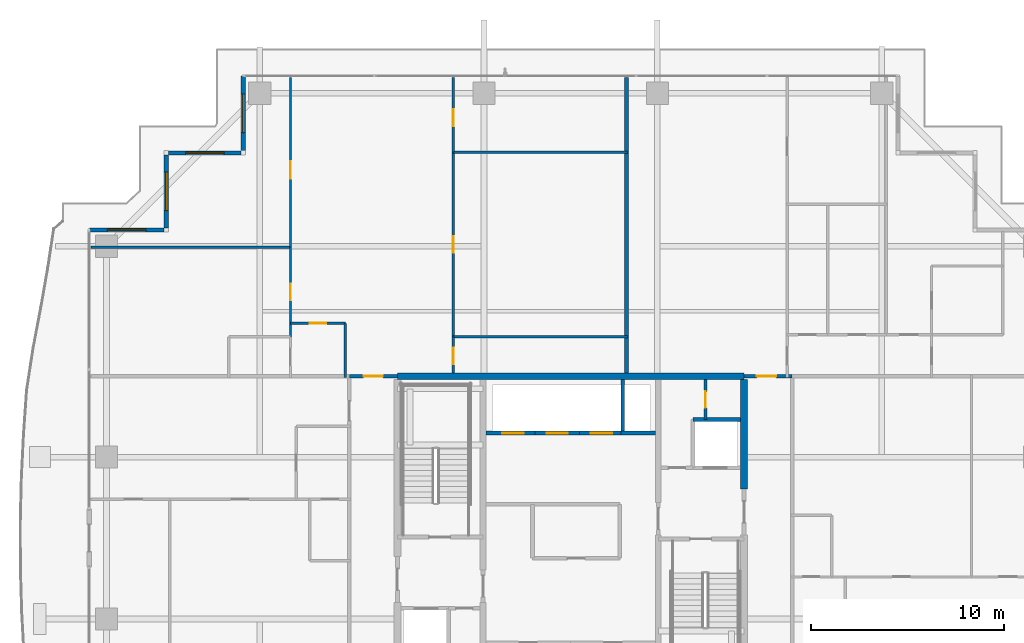
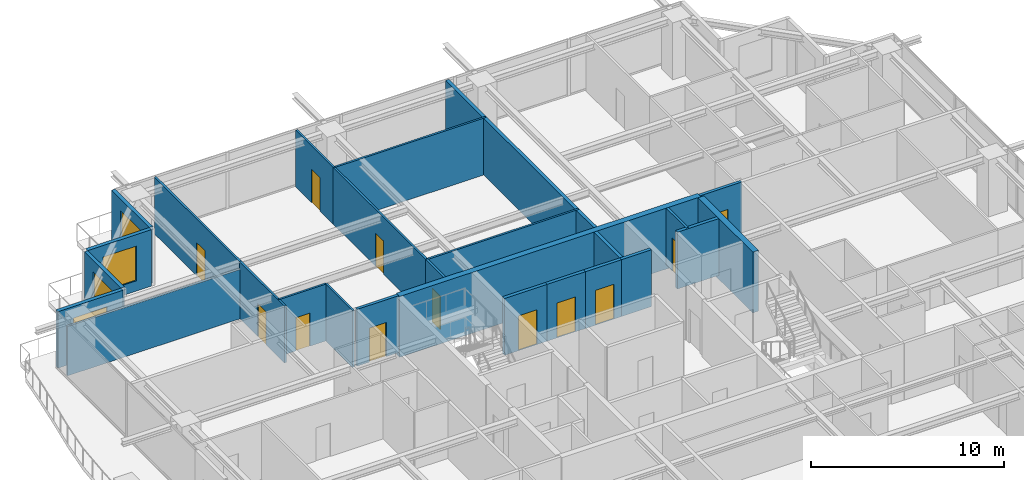
# One storey, part 27 of 37: 26 walls, 12 doors, 4 windows, 16 openings.
"""IFC4 building model written with IfcOpenShell, lengths in metres."""

from ifc_helpers import new_model, si_unit, direction, frame, frame_2d, origin, place, context, subcontext, project, spatial, rectangle, extrude, source, transform, mapped, material, layer, layer_set, type_object, element, fill, save


model = new_model("IFC4")

# Units and contexts
model_context = context("Model", 3, precision=1e-05, world=origin(), true_north=direction((0.0, 1.0)))
body_context = subcontext(model_context, "Body", "Model", "MODEL_VIEW")
ifc_project = project(units=[si_unit("LENGTHUNIT", "METRE"), si_unit("AREAUNIT", "SQUARE_METRE"), si_unit("VOLUMEUNIT", "CUBIC_METRE"), si_unit("PLANEANGLEUNIT", "RADIAN"), si_unit("MASSUNIT", "GRAM", prefix="KILO")], contexts=[model_context])

# Site, building, storey
site_placement = place(None, origin())
site = spatial("IfcSite", under=ifc_project, at=site_placement, CompositionType="ELEMENT")
building_placement = place(site_placement, origin())
building = spatial("IfcBuilding", under=site, at=building_placement, Name="Serunith Strait Residences", CompositionType="ELEMENT")
storey_placement = place(building_placement, frame((0.0, 0.0, 218.14990234375)))
storey = spatial("IfcBuildingStorey", under=building, at=storey_placement, Name="L54", CompositionType="ELEMENT", Elevation=218.14990234375)

# Wall, opening, window
ifc_material_1 = material(Name="Pale-Champagne Aluminium Insulated Panel", Category="aluminium")
ifc_layer_1 = layer(ifc_material_1, 0.219970703125, Name="Pale-Champagne Aluminium Insulated Panel")
ifc_layer_set_1 = layer_set([ifc_layer_1], Name="Pale-Champagne Aluminium Insulated Panel")
wall_type_1 = type_object("IfcWallType", Name="EW-ALUM-220", PredefinedType="ELEMENTEDWALL", material=ifc_layer_set_1)
wall_1_placement = place(storey_placement, frame((15.39990234375, 49.199951171875, 0.0), z_axis=(0.0, 0.0, 1.0), x_axis=(0.0, -1.0, 0.0)))
wall_1 = element("IfcWall", 1, at=wall_1_placement, inside=storey, type_object=wall_type_1, Name="L54 Girih Serrated Corner Wall 12", PredefinedType="ELEMENTEDWALL", context=body_context, shape_type="SweptSolid", body=[
    extrude(rectangle(XDim=3.889892578125, YDim=0.219970703125, at=frame_2d((1.94482421875, 0.0))), origin(), (0.0, 0.0, 1.0), 3.5751953125),
])
opening_1_placement = place(wall_1_placement, frame((0.945068359375, 0.0, 0.64990234375)))
opening_1 = element("IfcOpeningElement", 2, at=opening_1_placement, cuts=wall_1, Name="Opening W-04", PredefinedType="OPENING", context=body_context, shape_type="SweptSolid", body=[
    extrude(rectangle(XDim=2.0, YDim=2.199951171875, at=frame_2d((1.0, 1.10009765625))), frame((0.0, 0.1201171875, 0.0), z_axis=(0.0, -1.0, 0.0), x_axis=(1.0, 0.0, 0.0)), (0.0, 0.0, 1.0), 0.239990234375),
])
ifc_material_2 = material(Name="Ceramic-Fritted Operable Aluminium Window Glass", Category="aluminium")
window_type = type_object("IfcWindowType", Name="WIN-C4", PartitioningType="TRIPLE_PANEL_VERTICAL", PredefinedType="WINDOW", material=ifc_material_2)
shared_shape_1 = source(origin(), body_context, "Body", "SweptSolid", [
    extrude(rectangle(XDim=2.0, YDim=2.199951171875, at=frame_2d((1.0, 1.10009765625))), frame((0.0, 0.030029296875, 0.0), z_axis=(0.0, -1.0, 0.0), x_axis=(1.0, 0.0, 0.0)), (0.0, 0.0, 1.0), 0.06005859375),
])
window_1_placement = place(opening_1_placement, origin())
window_1 = element("IfcWindow", 3, at=window_1_placement, inside=storey, type_object=window_type, Name="L54 Corner Operable Fritted Window 12", OverallHeight=2.199951171875, OverallWidth=2.0, PartitioningType="SINGLE_PANEL", PredefinedType="WINDOW", context=body_context, shape_type="MappedRepresentation", body=[
    mapped(shared_shape_1, transform((0.0, 0.0, 0.0), scale=1.0)),
])
fill(opening_1, window_1)

wall_2_placement = place(storey_placement, frame((15.2900390625, 45.199951171875, 0.0), z_axis=(0.0, 0.0, 1.0), x_axis=(-1.0, 0.0, 0.0)))
wall_2 = element("IfcWall", 4, at=wall_2_placement, inside=storey, type_object=wall_type_1, Name="L54 Girih Serrated Corner Wall 13", PredefinedType="ELEMENTEDWALL", context=body_context, shape_type="SweptSolid", body=[
    extrude(rectangle(XDim=3.780029296875, YDim=0.219970703125, at=frame_2d((1.89013671875, 0.0))), origin(), (0.0, 0.0, 1.0), 3.5751953125),
])
opening_2_placement = place(wall_2_placement, frame((0.889892578125, 0.0, 0.64990234375)))
opening_2 = element("IfcOpeningElement", 5, at=opening_2_placement, cuts=wall_2, Name="Opening W-04", PredefinedType="OPENING", context=body_context, shape_type="SweptSolid", body=[
    extrude(rectangle(XDim=2.0, YDim=2.199951171875, at=frame_2d((1.0, 1.10009765625))), frame((0.0, 0.1201171875, 0.0), z_axis=(0.0, -1.0, 0.0), x_axis=(1.0, 0.0, 0.0)), (0.0, 0.0, 1.0), 0.239990234375),
])
window_2_placement = place(opening_2_placement, origin())
window_2 = element("IfcWindow", 6, at=window_2_placement, inside=storey, type_object=window_type, Name="L54 Corner Operable Fritted Window 13", OverallHeight=2.199951171875, OverallWidth=2.0, PartitioningType="SINGLE_PANEL", PredefinedType="WINDOW", context=body_context, shape_type="MappedRepresentation", body=[
    mapped(shared_shape_1, transform((0.0, 0.0, 0.0), scale=1.0)),
])
fill(opening_2, window_2)

wall_3_placement = place(storey_placement, frame((11.39990234375, 45.090087890625, 0.0), z_axis=(0.0, 0.0, 1.0), x_axis=(0.0, -1.0, 0.0)))
wall_3 = element("IfcWall", 7, at=wall_3_placement, inside=storey, type_object=wall_type_1, Name="L54 Girih Serrated Corner Wall 14", PredefinedType="ELEMENTEDWALL", context=body_context, shape_type="SweptSolid", body=[
    extrude(rectangle(XDim=3.780029296875, YDim=0.219970703125, at=frame_2d((1.89013671875, 0.0))), origin(), (0.0, 0.0, 1.0), 3.5751953125),
])
opening_3_placement = place(wall_3_placement, frame((0.889892578125, 0.0, 0.64990234375)))
opening_3 = element("IfcOpeningElement", 8, at=opening_3_placement, cuts=wall_3, Name="Opening W-04", PredefinedType="OPENING", context=body_context, shape_type="SweptSolid", body=[
    extrude(rectangle(XDim=2.0, YDim=2.199951171875, at=frame_2d((1.0, 1.10009765625))), frame((0.0, 0.1201171875, 0.0), z_axis=(0.0, -1.0, 0.0), x_axis=(1.0, 0.0, 0.0)), (0.0, 0.0, 1.0), 0.239990234375),
])
window_3_placement = place(opening_3_placement, origin())
window_3 = element("IfcWindow", 9, at=window_3_placement, inside=storey, type_object=window_type, Name="L54 Corner Operable Fritted Window 14", OverallHeight=2.199951171875, OverallWidth=2.0, PartitioningType="SINGLE_PANEL", PredefinedType="WINDOW", context=body_context, shape_type="MappedRepresentation", body=[
    mapped(shared_shape_1, transform((0.0, 0.0, 0.0), scale=1.0)),
])
fill(opening_3, window_3)

wall_4_placement = place(storey_placement, frame((11.2900390625, 41.199951171875, 0.0), z_axis=(0.0, 0.0, 1.0), x_axis=(-1.0, 0.0, 0.0)))
wall_4 = element("IfcWall", 10, at=wall_4_placement, inside=storey, type_object=wall_type_1, Name="L54 Girih Serrated Corner Wall 15", PredefinedType="ELEMENTEDWALL", context=body_context, shape_type="SweptSolid", body=[
    extrude(rectangle(XDim=3.89013671875, YDim=0.219970703125, at=frame_2d((1.945068359375, 0.0))), origin(), (0.0, 0.0, 1.0), 3.5751953125),
])
opening_4_placement = place(wall_4_placement, frame((0.945068359375, 0.0, 0.64990234375)))
opening_4 = element("IfcOpeningElement", 11, at=opening_4_placement, cuts=wall_4, Name="Opening W-04", PredefinedType="OPENING", context=body_context, shape_type="SweptSolid", body=[
    extrude(rectangle(XDim=2.0, YDim=2.199951171875, at=frame_2d((1.0, 1.10009765625))), frame((0.0, 0.1201171875, 0.0), z_axis=(0.0, -1.0, 0.0), x_axis=(1.0, 0.0, 0.0)), (0.0, 0.0, 1.0), 0.239990234375),
])
window_4_placement = place(opening_4_placement, origin())
window_4 = element("IfcWindow", 12, at=window_4_placement, inside=storey, type_object=window_type, Name="L54 Corner Operable Fritted Window 15", OverallHeight=2.199951171875, OverallWidth=2.0, PartitioningType="SINGLE_PANEL", PredefinedType="WINDOW", context=body_context, shape_type="MappedRepresentation", body=[
    mapped(shared_shape_1, transform((0.0, 0.0, 0.0), scale=1.0)),
])
fill(opening_4, window_4)

# Wall, opening, door
ifc_material_3 = material(Name="Fire-rated masonry service closet wall", Category="masonry")
ifc_layer_2 = layer(ifc_material_3, 0.14990234375, Name="Fire-rated masonry service closet wall")
ifc_layer_set_2 = layer_set([ifc_layer_2], Name="Fire-rated masonry service closet wall")
wall_type_2 = type_object("IfcWallType", Name="IW-BOH-150", PredefinedType="PARTITIONING", material=ifc_layer_set_2)
wall_5_placement = place(storey_placement, frame((39.39990234375, 31.35009765625, 0.0), z_axis=(0.0, 0.0, 1.0), x_axis=(0.0, 1.0, 0.0)))
wall_5 = element("IfcWall", 13, at=wall_5_placement, inside=storey, type_object=wall_type_2, Name="L54 Partition Wall 012", PredefinedType="PARTITIONING", context=body_context, shape_type="SweptSolid", body=[
    extrude(rectangle(XDim=2.074951171875, YDim=0.14990234375, at=frame_2d((1.03759765625, 0.0))), origin(), (0.0, 0.0, 1.0), 3.590087890625),
])
opening_5_placement = place(wall_5_placement, frame((0.612060546875, 0.0, 0.0)))
opening_5 = element("IfcOpeningElement", 14, at=opening_5_placement, cuts=wall_5, Name="Opening FD-850", PredefinedType="OPENING", context=body_context, shape_type="SweptSolid", body=[
    extrude(rectangle(XDim=0.85009765625, YDim=2.10009765625, at=frame_2d((0.425048828125, 1.050048828125))), frame((0.0, 0.0849609375, 0.0), z_axis=(0.0, -1.0, 0.0), x_axis=(1.0, 0.0, 0.0)), (0.0, 0.0, 1.0), 0.169921875),
])
ifc_material_4 = material(Name="Powder-coated steel service closet door", Category="steel")
door_type_1 = type_object("IfcDoorType", Name="FD-BOH-850", OperationType="NOTDEFINED", PredefinedType="DOOR", material=ifc_material_4)
shared_shape_2 = source(origin(), body_context, "Body", "SweptSolid", [
    extrude(rectangle(XDim=0.85009765625, YDim=2.10009765625, at=frame_2d((0.425048828125, 1.050048828125))), frame((0.0, 0.02490234375, 0.0), z_axis=(0.0, -1.0, 0.0), x_axis=(1.0, 0.0, 0.0)), (0.0, 0.0, 1.0), 0.050048828125),
])
door_1_placement = place(opening_5_placement, origin())
door_1 = element("IfcDoor", 15, at=door_1_placement, inside=storey, type_object=door_type_1, Name="L54 Janitor Store Door", OperationType="SINGLE_SWING_LEFT", OverallHeight=2.10009765625, OverallWidth=0.85009765625, PredefinedType="DOOR", context=body_context, shape_type="MappedRepresentation", body=[
    mapped(shared_shape_2, transform((0.0, 0.0, 0.0), scale=1.0)),
])
fill(opening_5, door_1)

ifc_material_5 = material(Name="Fire-rated acoustic gypsum partition")
ifc_layer_3 = layer(ifc_material_5, 0.179931640625, Name="Fire-rated acoustic gypsum partition")
ifc_layer_set_3 = layer_set([ifc_layer_3], Name="Fire-rated acoustic gypsum partition")
wall_type_3 = type_object("IfcWallType", Name="IW-CORR-180", PredefinedType="PARTITIONING", material=ifc_layer_set_3)
wall_6_placement = place(storey_placement, frame((20.902099609375, 33.60009765625, 0.0), z_axis=(0.0, 0.0, 1.0), x_axis=(1.0, 0.0, 0.0)))
wall_6 = element("IfcWall", 16, at=wall_6_placement, inside=storey, type_object=wall_type_3, Name="L54 Partition Wall 027", PredefinedType="PARTITIONING", context=body_context, shape_type="SweptSolid", body=[
    extrude(rectangle(XDim=2.495849609375, YDim=0.179931640625, at=frame_2d((1.248046875, 0.0))), origin(), (0.0, 0.0, 1.0), 3.590087890625),
])
opening_6_placement = place(wall_6_placement, frame((0.748046875, 0.0, 0.0)))
opening_6 = element("IfcOpeningElement", 17, at=opening_6_placement, cuts=wall_6, Name="Opening D-APT1000", PredefinedType="OPENING", context=body_context, shape_type="SweptSolid", body=[
    extrude(rectangle(XDim=1.0, YDim=2.14990234375, at=frame_2d((0.5, 1.074951171875))), frame((0.0, 0.10009765625, 0.0), z_axis=(0.0, -1.0, 0.0), x_axis=(1.0, 0.0, 0.0)), (0.0, 0.0, 1.0), 0.199951171875),
])
ifc_material_6 = material(Name="Solid timber engineered fire door", Category="wood")
door_type_2 = type_object("IfcDoorType", Name="ID-APT-1000", OperationType="NOTDEFINED", PredefinedType="DOOR", material=ifc_material_6)
shared_shape_3 = source(origin(), body_context, "Body", "SweptSolid", [
    extrude(rectangle(XDim=1.0, YDim=2.14990234375, at=frame_2d((0.5, 1.074951171875))), frame((0.0, 0.02490234375, 0.0), z_axis=(0.0, -1.0, 0.0), x_axis=(1.0, 0.0, 0.0)), (0.0, 0.0, 1.0), 0.050048828125),
])
door_2_placement = place(opening_6_placement, origin())
door_2 = element("IfcDoor", 18, at=door_2_placement, inside=storey, type_object=door_type_2, Name="L54 Unit 03 Entrance Door", OperationType="SINGLE_SWING_RIGHT", OverallHeight=2.14990234375, OverallWidth=1.0, PredefinedType="DOOR", context=body_context, shape_type="MappedRepresentation", body=[
    mapped(shared_shape_3, transform((0.0, 0.0, 0.0), scale=1.0)),
])
fill(opening_6, door_2)

wall_7_placement = place(storey_placement, frame((41.402099609375, 33.60009765625, 0.0), z_axis=(0.0, 0.0, 1.0), x_axis=(1.0, 0.0, 0.0)))
wall_7 = element("IfcWall", 19, at=wall_7_placement, inside=storey, type_object=wall_type_3, Name="L54 Partition Wall 030", PredefinedType="PARTITIONING", context=body_context, shape_type="SweptSolid", body=[
    extrude(rectangle(XDim=2.495849609375, YDim=0.179931640625, at=frame_2d((1.248046875, 0.0))), origin(), (0.0, 0.0, 1.0), 3.590087890625),
])
opening_7_placement = place(wall_7_placement, frame((0.666015625, 0.0, 0.0)))
opening_7 = element("IfcOpeningElement", 20, at=opening_7_placement, cuts=wall_7, Name="Opening D-APT1000", PredefinedType="OPENING", context=body_context, shape_type="SweptSolid", body=[
    extrude(rectangle(XDim=1.0, YDim=2.14990234375, at=frame_2d((0.5, 1.074951171875))), frame((0.0, 0.10009765625, 0.0), z_axis=(0.0, -1.0, 0.0), x_axis=(1.0, 0.0, 0.0)), (0.0, 0.0, 1.0), 0.199951171875),
])
door_3_placement = place(opening_7_placement, origin())
door_3 = element("IfcDoor", 21, at=door_3_placement, inside=storey, type_object=door_type_2, Name="L54 Unit 04 Entrance Door", OperationType="SINGLE_SWING_LEFT", OverallHeight=2.14990234375, OverallWidth=1.0, PredefinedType="DOOR", context=body_context, shape_type="MappedRepresentation", body=[
    mapped(shared_shape_3, transform((0.0, 0.0, 0.0), scale=1.0)),
])
fill(opening_7, door_3)

ifc_material_7 = material(Name="Lightweight steel-stud gypsum partition", Category="steel")
ifc_layer_4 = layer(ifc_material_7, 0.1201171875, Name="Lightweight steel-stud gypsum partition")
ifc_layer_set_4 = layer_set([ifc_layer_4], Name="Lightweight steel-stud gypsum partition")
wall_type_4 = type_object("IfcWallType", Name="IW-PART-120", PredefinedType="PARTITIONING", material=ifc_layer_set_4)
wall_8_placement = place(storey_placement, frame((17.85009765625, 36.35009765625, 0.0), z_axis=(0.0, 0.0, 1.0), x_axis=(1.0, 0.0, 0.0)))
wall_8 = element("IfcWall", 22, at=wall_8_placement, inside=storey, type_object=wall_type_4, Name="L54 Partition Wall 059", PredefinedType="PARTITIONING", context=body_context, shape_type="SweptSolid", body=[
    extrude(rectangle(XDim=2.849853515625, YDim=0.1201171875, at=frame_2d((1.4248046875, 0.0))), origin(), (0.0, 0.0, 1.0), 3.590087890625),
])
opening_8_placement = place(wall_8_placement, frame((1.0, 0.0, 0.0)))
opening_8 = element("IfcOpeningElement", 23, at=opening_8_placement, cuts=wall_8, Name="Opening D-RM850", PredefinedType="OPENING", context=body_context, shape_type="SweptSolid", body=[
    extrude(rectangle(XDim=0.85009765625, YDim=2.10009765625, at=frame_2d((0.425048828125, 1.050048828125))), frame((0.0, 0.070068359375, 0.0), z_axis=(0.0, -1.0, 0.0), x_axis=(1.0, 0.0, 0.0)), (0.0, 0.0, 1.0), 0.14013671875),
])
ifc_material_8 = material(Name="Engineered timber flush study and kitchen door", Category="wood")
door_type_3 = type_object("IfcDoorType", Name="ID-ROOM-850", OperationType="NOTDEFINED", PredefinedType="DOOR", material=ifc_material_8)
door_4_placement = place(opening_8_placement, origin())
door_4 = element("IfcDoor", 24, at=door_4_placement, inside=storey, type_object=door_type_3, Name="L54 Kitchen 5403 Door", OperationType="SINGLE_SWING_LEFT", OverallHeight=2.10009765625, OverallWidth=0.85009765625, PredefinedType="DOOR", context=body_context, shape_type="MappedRepresentation", body=[
    mapped(shared_shape_2, transform((0.0, 0.0, 0.0), scale=1.0)),
])
fill(opening_8, door_4)

# Wall
wall_9_placement = place(storey_placement, frame((20.699951171875, 36.35009765625, 0.0), z_axis=(0.0, 0.0, 1.0), x_axis=(0.0, -1.0, 0.0)))
element("IfcWall", 25, at=wall_9_placement, inside=storey, type_object=wall_type_4, Name="L54 Partition Wall 060", PredefinedType="PARTITIONING", context=body_context, shape_type="SweptSolid", body=[
    extrude(rectangle(XDim=2.81005859375, YDim=0.1201171875, at=frame_2d((1.405029296875, 0.0))), origin(), (0.0, 0.0, 1.0), 3.590087890625),
])

# Wall, opening, door
wall_10_placement = place(storey_placement, frame((17.85009765625, 49.10498046875, 0.0), z_axis=(0.0, 0.0, 1.0), x_axis=(0.0, -1.0, 0.0)))
wall_10 = element("IfcWall", 26, at=wall_10_placement, inside=storey, type_object=wall_type_4, Name="L54 Partition Wall 061", PredefinedType="PARTITIONING", context=body_context, shape_type="SweptSolid", body=[
    extrude(rectangle(XDim=8.799072265625, YDim=0.1201171875, at=frame_2d((4.3994140625, 0.0))), origin(), (0.0, 0.0, 1.0), 3.590087890625),
])
opening_9_placement = place(wall_10_placement, frame((4.343994140625, 0.0, 0.0)))
opening_9 = element("IfcOpeningElement", 27, at=opening_9_placement, cuts=wall_10, Name="Opening D-RM900", PredefinedType="OPENING", context=body_context, shape_type="SweptSolid", body=[
    extrude(rectangle(XDim=0.89990234375, YDim=2.10009765625, at=frame_2d((0.449951171875, 1.050048828125))), frame((0.0, 0.070068359375, 0.0), z_axis=(0.0, -1.0, 0.0), x_axis=(1.0, 0.0, 0.0)), (0.0, 0.0, 1.0), 0.14013671875),
])
ifc_material_9 = material(Name="Engineered timber flush bedroom door", Category="wood")
door_type_4 = type_object("IfcDoorType", Name="ID-ROOM-900", OperationType="NOTDEFINED", PredefinedType="DOOR", material=ifc_material_9)
shared_shape_4 = source(origin(), body_context, "Body", "SweptSolid", [
    extrude(rectangle(XDim=0.89990234375, YDim=2.10009765625, at=frame_2d((0.449951171875, 1.050048828125))), frame((0.0, 0.02490234375, 0.0), z_axis=(0.0, -1.0, 0.0), x_axis=(1.0, 0.0, 0.0)), (0.0, 0.0, 1.0), 0.050048828125),
])
door_5_placement = place(opening_9_placement, origin())
door_5 = element("IfcDoor", 28, at=door_5_placement, inside=storey, type_object=door_type_4, Name="L54 Master Bedroom 1 5403 Door", OperationType="SINGLE_SWING_RIGHT", OverallHeight=2.10009765625, OverallWidth=0.89990234375, PredefinedType="DOOR", context=body_context, shape_type="MappedRepresentation", body=[
    mapped(shared_shape_4, transform((0.0, 0.0, 0.0), scale=1.0)),
])
fill(opening_9, door_5)

# Wall
wall_11_placement = place(storey_placement, frame((7.4951171875, 40.305908203125, 0.0), z_axis=(0.0, 0.0, 1.0), x_axis=(1.0, 0.0, 0.0)))
element("IfcWall", 29, at=wall_11_placement, inside=storey, type_object=wall_type_4, Name="L54 Partition Wall 062", PredefinedType="PARTITIONING", context=body_context, shape_type="SweptSolid", body=[
    extrude(rectangle(XDim=10.35498046875, YDim=0.1201171875, at=frame_2d((5.177490234375, 0.0))), origin(), (0.0, 0.0, 1.0), 3.1220703125),
])

# Wall, opening, door
wall_12_placement = place(storey_placement, frame((17.85009765625, 40.303955078125, 0.0), z_axis=(0.0, 0.0, 1.0), x_axis=(0.0, -1.0, 0.0)))
wall_12 = element("IfcWall", 30, at=wall_12_placement, inside=storey, type_object=wall_type_4, Name="L54 Partition Wall 065", PredefinedType="PARTITIONING", context=body_context, shape_type="SweptSolid", body=[
    extrude(rectangle(XDim=4.654052734375, YDim=0.1201171875, at=frame_2d((2.3271484375, 0.0))), origin(), (0.0, 0.0, 1.0), 3.590087890625),
])
opening_10_placement = place(wall_12_placement, frame((1.902099609375, 0.0, 0.0)))
opening_10 = element("IfcOpeningElement", 31, at=opening_10_placement, cuts=wall_12, Name="Opening D-RM850", PredefinedType="OPENING", context=body_context, shape_type="SweptSolid", body=[
    extrude(rectangle(XDim=0.85009765625, YDim=2.10009765625, at=frame_2d((0.425048828125, 1.050048828125))), frame((0.0, 0.070068359375, 0.0), z_axis=(0.0, -1.0, 0.0), x_axis=(1.0, 0.0, 0.0)), (0.0, 0.0, 1.0), 0.14013671875),
])
door_6_placement = place(opening_10_placement, origin())
door_6 = element("IfcDoor", 32, at=door_6_placement, inside=storey, type_object=door_type_3, Name="L54 Walk-in Wardrobe 5403 Door", OperationType="SINGLE_SWING_LEFT", OverallHeight=2.10009765625, OverallWidth=0.85009765625, PredefinedType="DOOR", context=body_context, shape_type="MappedRepresentation", body=[
    mapped(shared_shape_2, transform((0.0, 0.0, 0.0), scale=1.0)),
])
fill(opening_10, door_6)

wall_13_placement = place(storey_placement, frame((26.300048828125, 49.10498046875, 0.0), z_axis=(0.0, 0.0, 1.0), x_axis=(0.0, -1.0, 0.0)))
wall_13 = element("IfcWall", 33, at=wall_13_placement, inside=storey, type_object=wall_type_4, Name="L54 Partition Wall 067", PredefinedType="PARTITIONING", context=body_context, shape_type="SweptSolid", body=[
    extrude(rectangle(XDim=3.868896484375, YDim=0.1201171875, at=frame_2d((1.9345703125, 0.0))), origin(), (0.0, 0.0, 1.0), 3.590087890625),
])
opening_11_placement = place(wall_13_placement, frame((1.633056640625, 0.0, 0.0)))
opening_11 = element("IfcOpeningElement", 34, at=opening_11_placement, cuts=wall_13, Name="Opening D-RM900", PredefinedType="OPENING", context=body_context, shape_type="SweptSolid", body=[
    extrude(rectangle(XDim=0.89990234375, YDim=2.10009765625, at=frame_2d((0.449951171875, 1.050048828125))), frame((0.0, 0.070068359375, 0.0), z_axis=(0.0, -1.0, 0.0), x_axis=(1.0, 0.0, 0.0)), (0.0, 0.0, 1.0), 0.14013671875),
])
door_7_placement = place(opening_11_placement, origin())
door_7 = element("IfcDoor", 35, at=door_7_placement, inside=storey, type_object=door_type_4, Name="L54 Bedroom 2 5403 Door", OperationType="SINGLE_SWING_LEFT", OverallHeight=2.10009765625, OverallWidth=0.89990234375, PredefinedType="DOOR", context=body_context, shape_type="MappedRepresentation", body=[
    mapped(shared_shape_4, transform((0.0, 0.0, 0.0), scale=1.0)),
])
fill(opening_11, door_7)

# Walls
for number, where, z_axis, x_axis, name in (
    (36, (26.300048828125, 45.236083984375, 0.0), (0.0, 0.0, 1.0), (1.0, 0.0, 0.0), "L54 Partition Wall 068"),
    (37, (26.300048828125, 35.64990234375, 0.0), (0.0, 0.0, 1.0), (1.0, 0.0, 0.0), "L54 Partition Wall 069"),
):
    element("IfcWall", number, at=place(storey_placement, frame(where, z_axis=z_axis, x_axis=x_axis)), inside=storey, type_object=wall_type_4, Name=name, PredefinedType="PARTITIONING", context=body_context, shape_type="SweptSolid", body=[
        extrude(rectangle(XDim=9.06005859375, YDim=0.1201171875, at=frame_2d((4.530029296875, 0.0))), origin(), (0.0, 0.0, 1.0), 3.590087890625),
    ])

# Wall, opening, door
wall_14_placement = place(storey_placement, frame((26.300048828125, 45.23388671875, 0.0), z_axis=(0.0, 0.0, 1.0), x_axis=(0.0, -1.0, 0.0)))
wall_14 = element("IfcWall", 38, at=wall_14_placement, inside=storey, type_object=wall_type_4, Name="L54 Partition Wall 070", PredefinedType="PARTITIONING", context=body_context, shape_type="SweptSolid", body=[
    extrude(rectangle(XDim=9.583984375, YDim=0.1201171875, at=frame_2d((4.7919921875, 0.0))), origin(), (0.0, 0.0, 1.0), 3.590087890625),
])
opening_12_placement = place(wall_14_placement, frame((4.366943359375, 0.0, 0.0)))
opening_12 = element("IfcOpeningElement", 39, at=opening_12_placement, cuts=wall_14, Name="Opening D-RM850", PredefinedType="OPENING", context=body_context, shape_type="SweptSolid", body=[
    extrude(rectangle(XDim=0.85009765625, YDim=2.10009765625, at=frame_2d((0.425048828125, 1.050048828125))), frame((0.0, 0.070068359375, 0.0), z_axis=(0.0, -1.0, 0.0), x_axis=(1.0, 0.0, 0.0)), (0.0, 0.0, 1.0), 0.14013671875),
])
door_8_placement = place(opening_12_placement, origin())
door_8 = element("IfcDoor", 40, at=door_8_placement, inside=storey, type_object=door_type_3, Name="L54 Walk-in Wardrobe 5403 Door", OperationType="SINGLE_SWING_RIGHT", OverallHeight=2.10009765625, OverallWidth=0.85009765625, PredefinedType="DOOR", context=body_context, shape_type="MappedRepresentation", body=[
    mapped(shared_shape_2, transform((0.0, 0.0, 0.0), scale=1.0)),
])
fill(opening_12, door_8)

wall_15_placement = place(storey_placement, frame((26.300048828125, 35.64794921875, 0.0), z_axis=(0.0, 0.0, 1.0), x_axis=(0.0, -1.0, 0.0)))
wall_15 = element("IfcWall", 41, at=wall_15_placement, inside=storey, type_object=wall_type_4, Name="L54 Partition Wall 071", PredefinedType="PARTITIONING", context=body_context, shape_type="SweptSolid", body=[
    extrude(rectangle(XDim=1.873046875, YDim=0.1201171875, at=frame_2d((0.9365234375, 0.0))), origin(), (0.0, 0.0, 1.0), 3.590087890625),
])
opening_13_placement = place(wall_15_placement, frame((0.574951171875, 0.0, 0.0)))
opening_13 = element("IfcOpeningElement", 42, at=opening_13_placement, cuts=wall_15, Name="Opening D-BTH850", PredefinedType="OPENING", context=body_context, shape_type="SweptSolid", body=[
    extrude(rectangle(XDim=0.85009765625, YDim=2.10009765625, at=frame_2d((0.425048828125, 1.050048828125))), frame((0.0, 0.070068359375, 0.0), z_axis=(0.0, -1.0, 0.0), x_axis=(1.0, 0.0, 0.0)), (0.0, 0.0, 1.0), 0.14013671875),
])
ifc_material_10 = material(Name="Moisture-resistant timber bathroom door", Category="wood")
door_type_5 = type_object("IfcDoorType", Name="ID-BATH-850", OperationType="NOTDEFINED", PredefinedType="DOOR", material=ifc_material_10)
door_9_placement = place(opening_13_placement, origin())
door_9 = element("IfcDoor", 43, at=door_9_placement, inside=storey, type_object=door_type_5, Name="L54 Bathroom 5403 Door", OperationType="SINGLE_SWING_LEFT", OverallHeight=2.10009765625, OverallWidth=0.85009765625, PredefinedType="DOOR", context=body_context, shape_type="MappedRepresentation", body=[
    mapped(shared_shape_2, transform((0.0, 0.0, 0.0), scale=1.0)),
])
fill(opening_13, door_9)

# Wall
ifc_material_11 = material(Name="Twin-stud acoustic gypsum board partition")
ifc_layer_5 = layer(ifc_material_11, 0.199951171875, Name="Twin-stud acoustic gypsum board partition")
ifc_layer_set_5 = layer_set([ifc_layer_5], Name="Twin-stud acoustic gypsum board partition")
wall_type_5 = type_object("IfcWallType", Name="IW-PARTY-200", PredefinedType="PARTITIONING", material=ifc_layer_set_5)
wall_16_placement = place(storey_placement, frame((35.300048828125, 33.77490234375, 0.0), z_axis=(0.0, 0.0, 1.0), x_axis=(0.0, 1.0, 0.0)))
element("IfcWall", 44, at=wall_16_placement, inside=storey, type_object=wall_type_5, Name="L54 Partition Wall 021", PredefinedType="PARTITIONING", context=body_context, shape_type="SweptSolid", body=[
    extrude(rectangle(XDim=15.343017578125, YDim=0.199951171875, at=frame_2d((7.67138671875, 0.0))), origin(), (0.0, 0.0, 1.0), 3.590087890625),
])

# Wall, opening, door
ifc_material_12 = material(Name="Autoclaved aerated concrete blockwork", Category="masonry")
ifc_layer_6 = layer(ifc_material_12, 0.199951171875, Name="Autoclaved aerated concrete blockwork")
ifc_layer_set_6 = layer_set([ifc_layer_6], Name="Autoclaved aerated concrete blockwork")
wall_type_6 = type_object("IfcWallType", Name="IW-SHAFT-200", PredefinedType="STANDARD", material=ifc_layer_set_6)
wall_17_placement = place(storey_placement, frame((28.0, 30.64990234375, 0.0), z_axis=(0.0, 0.0, 1.0), x_axis=(1.0, 0.0, 0.0)))
wall_17 = element("IfcWall", 45, at=wall_17_placement, inside=storey, type_object=wall_type_6, Name="L54 PL-7 South Shaft Wall", PredefinedType="STANDARD", context=body_context, shape_type="SweptSolid", body=[
    extrude(rectangle(XDim=2.550048828125, YDim=0.199951171875, at=frame_2d((1.27490234375, 0.0))), origin(), (0.0, 0.0, 1.0), 3.590087890625),
])
opening_14_placement = place(wall_17_placement, frame((0.85009765625, 0.0, 0.0)))
opening_14 = element("IfcOpeningElement", 46, at=opening_14_placement, cuts=wall_17, Name="Opening LD-1100", PredefinedType="OPENING", context=body_context, shape_type="SweptSolid", body=[
    extrude(rectangle(XDim=1.10009765625, YDim=2.199951171875, at=frame_2d((0.550048828125, 1.10009765625))), frame((0.0, 0.10986328125, 0.0), z_axis=(0.0, -1.0, 0.0), x_axis=(1.0, 0.0, 0.0)), (0.0, 0.0, 1.0), 0.219970703125),
])
ifc_material_13 = material(Name="Pale-champagne stainless landing door")
door_type_6 = type_object("IfcDoorType", Name="LD-LIFT-1100", OperationType="DOUBLE_DOOR_SLIDING", PredefinedType="DOOR", material=ifc_material_13)
shared_shape_5 = source(origin(), body_context, "Body", "SweptSolid", [
    extrude(rectangle(XDim=1.10009765625, YDim=2.199951171875, at=frame_2d((0.550048828125, 1.10009765625))), frame((0.0, 0.02490234375, 0.0), z_axis=(0.0, -1.0, 0.0), x_axis=(1.0, 0.0, 0.0)), (0.0, 0.0, 1.0), 0.050048828125),
])
door_10_placement = place(opening_14_placement, origin())
door_10 = element("IfcDoor", 47, at=door_10_placement, inside=storey, type_object=door_type_6, Name="L54 PL-7 Landing Door", OperationType="DOUBLE_DOOR_SLIDING", OverallHeight=2.199951171875, OverallWidth=1.10009765625, PredefinedType="DOOR", context=body_context, shape_type="MappedRepresentation", body=[
    mapped(shared_shape_5, transform((0.0, 0.0, 0.0), scale=1.0)),
])
fill(opening_14, door_10)

wall_18_placement = place(storey_placement, frame((30.550048828125, 30.64990234375, 0.0), z_axis=(0.0, 0.0, 1.0), x_axis=(1.0, 0.0, 0.0)))
wall_18 = element("IfcWall", 48, at=wall_18_placement, inside=storey, type_object=wall_type_6, Name="L54 PL-8 South Shaft Wall", PredefinedType="STANDARD", context=body_context, shape_type="SweptSolid", body=[
    extrude(rectangle(XDim=2.300048828125, YDim=0.199951171875, at=frame_2d((1.14990234375, 0.0))), origin(), (0.0, 0.0, 1.0), 3.590087890625),
])
opening_15_placement = place(wall_18_placement, frame((0.60009765625, 0.0, 0.0)))
opening_15 = element("IfcOpeningElement", 49, at=opening_15_placement, cuts=wall_18, Name="Opening LD-1100", PredefinedType="OPENING", context=body_context, shape_type="SweptSolid", body=[
    extrude(rectangle(XDim=1.10009765625, YDim=2.199951171875, at=frame_2d((0.550048828125, 1.10009765625))), frame((0.0, 0.10986328125, 0.0), z_axis=(0.0, -1.0, 0.0), x_axis=(1.0, 0.0, 0.0)), (0.0, 0.0, 1.0), 0.219970703125),
])
door_11_placement = place(opening_15_placement, origin())
door_11 = element("IfcDoor", 50, at=door_11_placement, inside=storey, type_object=door_type_6, Name="L54 PL-8 Landing Door", OperationType="DOUBLE_DOOR_SLIDING", OverallHeight=2.199951171875, OverallWidth=1.10009765625, PredefinedType="DOOR", context=body_context, shape_type="MappedRepresentation", body=[
    mapped(shared_shape_5, transform((0.0, 0.0, 0.0), scale=1.0)),
])
fill(opening_15, door_11)

wall_19_placement = place(storey_placement, frame((32.85009765625, 30.64990234375, 0.0), z_axis=(0.0, 0.0, 1.0), x_axis=(1.0, 0.0, 0.0)))
wall_19 = element("IfcWall", 51, at=wall_19_placement, inside=storey, type_object=wall_type_6, Name="L54 PL-9 South Shaft Wall", PredefinedType="STANDARD", context=body_context, shape_type="SweptSolid", body=[
    extrude(rectangle(XDim=2.14990234375, YDim=0.199951171875, at=frame_2d((1.074951171875, 0.0))), origin(), (0.0, 0.0, 1.0), 3.590087890625),
])
opening_16_placement = place(wall_19_placement, frame((0.60009765625, 0.0, 0.0)))
opening_16 = element("IfcOpeningElement", 52, at=opening_16_placement, cuts=wall_19, Name="Opening LD-1100", PredefinedType="OPENING", context=body_context, shape_type="SweptSolid", body=[
    extrude(rectangle(XDim=1.10009765625, YDim=2.199951171875, at=frame_2d((0.550048828125, 1.10009765625))), frame((0.0, 0.10986328125, 0.0), z_axis=(0.0, -1.0, 0.0), x_axis=(1.0, 0.0, 0.0)), (0.0, 0.0, 1.0), 0.219970703125),
])
door_12_placement = place(opening_16_placement, origin())
door_12 = element("IfcDoor", 53, at=door_12_placement, inside=storey, type_object=door_type_6, Name="L54 PL-9 Landing Door", OperationType="DOUBLE_DOOR_SLIDING", OverallHeight=2.199951171875, OverallWidth=1.10009765625, PredefinedType="DOOR", context=body_context, shape_type="MappedRepresentation", body=[
    mapped(shared_shape_5, transform((0.0, 0.0, 0.0), scale=1.0)),
])
fill(opening_16, door_12)

# Walls
wall_20_placement = place(storey_placement, frame((35.0, 30.64990234375, 0.0), z_axis=(0.0, 0.0, 1.0), x_axis=(1.0, 0.0, 0.0)))
element("IfcWall", 54, at=wall_20_placement, inside=storey, type_object=wall_type_6, Name="L54 SL-1 South Shaft Wall", PredefinedType="STANDARD", context=body_context, shape_type="SweptSolid", body=[
    extrude(rectangle(XDim=1.800048828125, YDim=0.199951171875, at=frame_2d((0.89990234375, 0.0))), origin(), (0.0, 0.0, 1.0), 3.590087890625),
])
wall_21_placement = place(storey_placement, frame((35.10009765625, 30.75, 0.0), z_axis=(0.0, 0.0, 1.0), x_axis=(0.0, 1.0, 0.0)))
element("IfcWall", 55, at=wall_21_placement, inside=storey, type_object=wall_type_6, Name="L54 SL-1 West Shaft Wall", PredefinedType="STANDARD", context=body_context, shape_type="SweptSolid", body=[
    extrude(rectangle(XDim=2.675048828125, YDim=0.199951171875, at=frame_2d((1.33740234375, 0.0))), origin(), (0.0, 0.0, 1.0), 3.590087890625),
])
wall_22_placement = place(storey_placement, frame((38.75, 31.35009765625, 0.0), z_axis=(0.0, 0.0, 1.0), x_axis=(1.0, 0.0, 0.0)))
element("IfcWall", 56, at=wall_22_placement, inside=storey, type_object=wall_type_6, Name="L54 Partition Wall 005", PredefinedType="STANDARD", context=body_context, shape_type="SweptSolid", body=[
    extrude(rectangle(XDim=2.47509765625, YDim=0.199951171875, at=frame_2d((1.237548828125, 0.0))), origin(), (0.0, 0.0, 1.0), 3.590087890625),
])
ifc_material_14 = material(Name="Concrete C60/75", Category="concrete")
ifc_layer_7 = layer(ifc_material_14, 0.35009765625, Name="Concrete C60/75")
ifc_layer_set_7 = layer_set([ifc_layer_7], Name="Concrete C60/75")
wall_type_7 = type_object("IfcWallType", Name="SW-350-C60", PredefinedType="SHEAR", material=ifc_layer_set_7)
wall_23_placement = place(storey_placement, frame((41.39990234375, 33.60009765625, -0.260009765625), z_axis=(0.0, 0.0, 1.0), x_axis=(-1.0, 0.0, 0.0)))
element("IfcWall", 57, at=wall_23_placement, inside=storey, type_object=wall_type_7, Name="L54 Core North Shear Wall", PredefinedType="SHEAR", context=body_context, shape_type="SweptSolid", body=[
    extrude(rectangle(XDim=18.0, YDim=0.35009765625, at=frame_2d((9.0, 0.0))), origin(), (0.0, 0.0, 1.0), 3.84814453125),
])
wall_24_placement = place(storey_placement, frame((41.39990234375, 27.75, -0.260009765625), z_axis=(0.0, 0.0, 1.0), x_axis=(0.0, 1.0, 0.0)))
element("IfcWall", 58, at=wall_24_placement, inside=storey, type_object=wall_type_7, Name="L54 Core East Shear Wall North Pier", PredefinedType="SHEAR", context=body_context, shape_type="SweptSolid", body=[
    extrude(rectangle(XDim=5.675048828125, YDim=0.35009765625, at=frame_2d((2.83740234375, 0.0))), origin(), (0.0, 0.0, 1.0), 3.84814453125),
])

save(model, "model.ifc")
